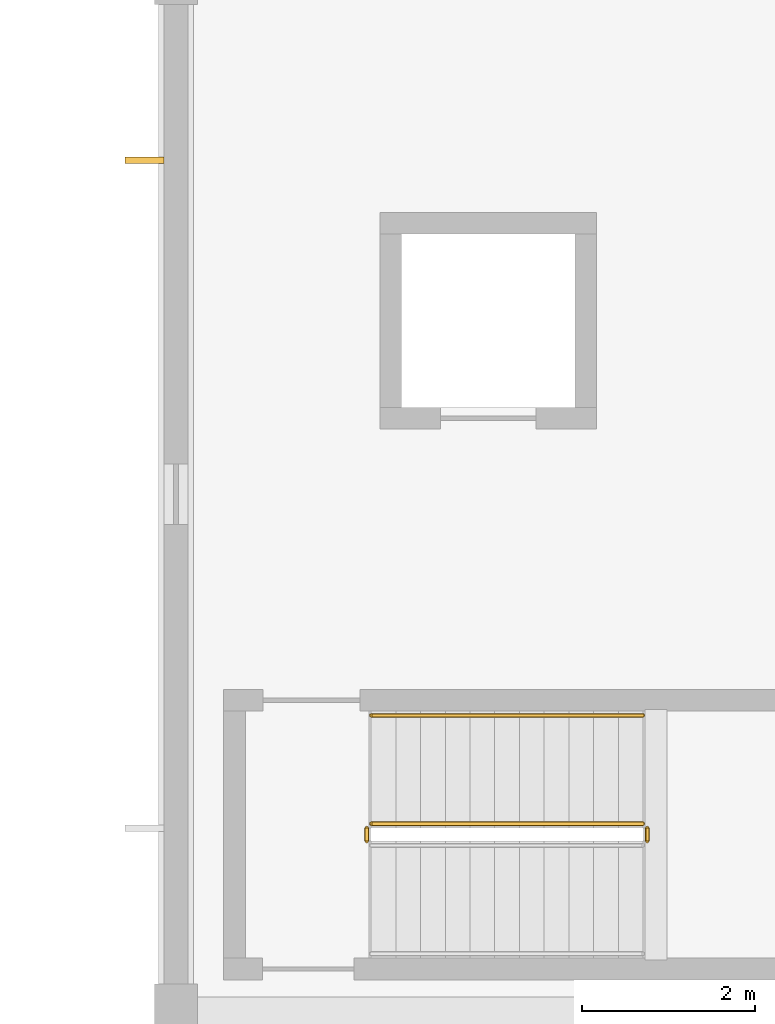
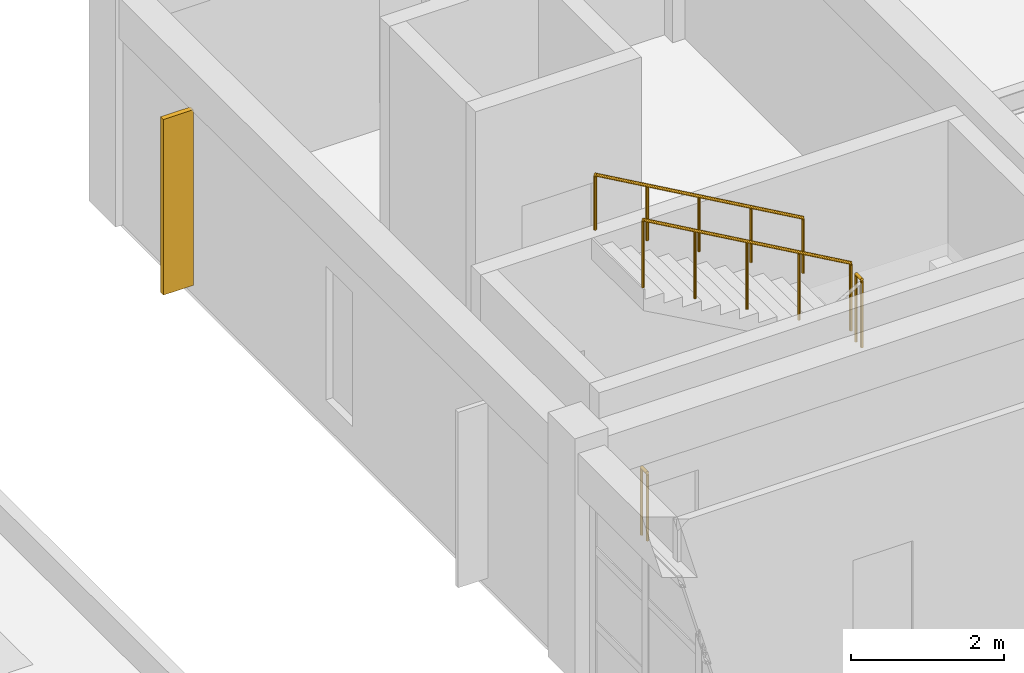
# One storey, part 109 of 150: 4 railings, 1 shading device.
"""IFC4 building model written with IfcOpenShell, lengths in metres."""

from ifc_helpers import new_model, si_unit, direction, frame, origin, origin_2d, place, context, subcontext, project, spatial, rectangle, circle, extrude, material, layer, layer_set, type_object, element, save


model = new_model("IFC4")

# Units and contexts
model_context = context("Model", 3, precision=1e-05, world=origin(), true_north=direction((0.0, 1.0)))
body_context = subcontext(model_context, "Body", "Model", "MODEL_VIEW")
ifc_project = project(units=[si_unit("LENGTHUNIT", "METRE"), si_unit("AREAUNIT", "SQUARE_METRE"), si_unit("VOLUMEUNIT", "CUBIC_METRE"), si_unit("PLANEANGLEUNIT", "RADIAN"), si_unit("MASSUNIT", "GRAM", prefix="KILO")], contexts=[model_context])

# Site, building, storey
site_placement = place(None, origin())
site = spatial("IfcSite", under=ifc_project, at=site_placement, CompositionType="ELEMENT")
building_placement = place(site_placement, origin())
building = spatial("IfcBuilding", under=site, at=building_placement, Name="Kestramere Prow Commons", CompositionType="ELEMENT")
storey_placement = place(building_placement, frame((0.0, 0.0, 4.5)))
storey = spatial("IfcBuildingStorey", under=building, at=storey_placement, Name="L01", CompositionType="ELEMENT", Elevation=4.5)

# Railings
ifc_material_1 = material(Name="Galvanised Steel S275JR", Category="steel")
railing_type_1 = type_object("IfcRailingType", Name="RL-ST-GR-1100", PredefinedType="GUARDRAIL", material=ifc_material_1)
railing_1_placement = place(storey_placement, frame((65.43505859375, 14.0, 1.949951171875)))
element("IfcRailing", 1, at=railing_1_placement, inside=storey, type_object=railing_type_1, Name="L01 ST-M1 stair guard 2", PredefinedType="GUARDRAIL", context=body_context, shape_type="SweptSolid", body=[
    extrude(circle(Radius=0.02392578125, at=origin_2d()), frame((0.0, 0.0, 1.076171875), z_axis=(0.0, 1.0, 0.0), x_axis=(-1.0, 0.0, 0.0)), (0.0, 0.0, 1.0), 0.14990234375),
    extrude(circle(Radius=0.02099609375, at=origin_2d()), origin(), (0.0, 0.0, 1.0), 1.052001953125),
    extrude(circle(Radius=0.02099609375, at=origin_2d()), frame((0.0, 0.14990234375, 0.0)), (0.0, 0.0, 1.0), 1.052001953125),
])
railing_2_placement = place(storey_placement, frame((65.385009765625, 14.199951171875, 2.112548828125)))
element("IfcRailing", 2, at=railing_2_placement, inside=storey, type_object=railing_type_1, Name="L01 ST-M1 stair guard 3", PredefinedType="GUARDRAIL", context=body_context, shape_type="SweptSolid", body=[
    extrude(circle(Radius=0.02392578125, at=origin_2d()), frame((0.0, 0.0, 1.076171875), z_axis=(-0.868729823959, 0.0, 0.495286273749), x_axis=(0.0, -1.0, 0.0)), (0.0, 0.0, 1.0), 3.608642578125),
    extrude(circle(Radius=0.02099609375, at=origin_2d()), origin(), (0.0, 0.0, 1.0), 1.052001953125),
    extrude(circle(Radius=0.02099609375, at=origin_2d()), frame((-0.78369140625, 0.0, 0.44677734375)), (0.0, 0.0, 1.0), 1.052001953125),
    extrude(circle(Radius=0.02099609375, at=origin_2d()), frame((-1.5673828125, 0.0, 0.8935546875)), (0.0, 0.0, 1.0), 1.052001953125),
    extrude(circle(Radius=0.02099609375, at=origin_2d()), frame((-2.351318359375, 0.0, 1.340576171875)), (0.0, 0.0, 1.0), 1.052001953125),
    extrude(circle(Radius=0.02099609375, at=origin_2d()), frame((-3.135009765625, 0.0, 1.787353515625)), (0.0, 0.0, 1.0), 1.052001953125),
])
railing_3_placement = place(storey_placement, frame((62.199951171875, 14.0, 0.0)))
element("IfcRailing", 3, at=railing_3_placement, inside=storey, type_object=railing_type_1, Name="L01 ST-M1 stair guard 4", PredefinedType="GUARDRAIL", context=body_context, shape_type="SweptSolid", body=[
    extrude(circle(Radius=0.02392578125, at=origin_2d()), frame((0.0, 0.0, 1.076171875), z_axis=(0.0, 1.0, 0.0), x_axis=(-1.0, 0.0, 0.0)), (0.0, 0.0, 1.0), 0.14990234375),
    extrude(circle(Radius=0.02099609375, at=origin_2d()), origin(), (0.0, 0.0, 1.0), 1.052001953125),
    extrude(circle(Radius=0.02099609375, at=origin_2d()), frame((0.0, 0.14990234375, 0.0)), (0.0, 0.0, 1.0), 1.052001953125),
])
ifc_material_2 = material(Name="Stainless Steel 304", Category="steel")
railing_type_2 = type_object("IfcRailingType", Name="RL-ST-HR-900", PredefinedType="HANDRAIL", material=ifc_material_2)
railing_4_placement = place(storey_placement, frame((65.385009765625, 15.449951171875, 2.27490234375)))
element("IfcRailing", 4, at=railing_4_placement, inside=storey, type_object=railing_type_2, Name="L01 ST-M1 stair handrail 2", PredefinedType="HANDRAIL", context=body_context, shape_type="SweptSolid", body=[
    extrude(circle(Radius=0.02392578125, at=origin_2d()), frame((0.0, 0.0, 0.8759765625), z_axis=(-0.86870071446, 0.0, 0.495337328189), x_axis=(0.0, -1.0, 0.0)), (0.0, 0.0, 1.0), 3.60888671875),
    extrude(circle(Radius=0.02099609375, at=origin_2d()), origin(), (0.0, 0.0, 1.0), 0.851806640625),
    extrude(circle(Radius=0.02099609375, at=origin_2d()), frame((-0.78369140625, 0.0, 0.44677734375)), (0.0, 0.0, 1.0), 0.851806640625),
    extrude(circle(Radius=0.02099609375, at=origin_2d()), frame((-1.5673828125, 0.0, 0.893798828125)), (0.0, 0.0, 1.0), 0.851806640625),
    extrude(circle(Radius=0.02099609375, at=origin_2d()), frame((-2.351318359375, 0.0, 1.3408203125)), (0.0, 0.0, 1.0), 0.851806640625),
    extrude(circle(Radius=0.02099609375, at=origin_2d()), frame((-3.135009765625, 0.0, 1.78759765625)), (0.0, 0.0, 1.0), 0.851806640625),
])

# Shading device
ifc_material_3 = material(Name="Weathered Bronze-Anodised Aluminium", Category="aluminium")
ifc_layer = layer(ifc_material_3, 0.074951171875)
ifc_layer_set = layer_set([ifc_layer], Name="Weathered Bronze-Anodised Aluminium")
shading_device_type = type_object("IfcShadingDeviceType", Name="SHD-VFIN-450", PredefinedType="USERDEFINED", material=ifc_layer_set)
shading_device_placement = place(storey_placement, frame((59.635009765625, 21.85009765625, 0.14990234375), z_axis=(0.0, 0.0, 1.0), x_axis=(1.0, 0.0, 0.0)))
element("IfcShadingDevice", 5, at=shading_device_placement, inside=storey, type_object=shading_device_type, Name="Market L01 W Vertical Fin 2-2", ObjectType="VERTICAL FIN", PredefinedType="USERDEFINED", context=body_context, shape_type="SweptSolid", body=[
    extrude(rectangle(XDim=0.449951171875, YDim=0.074951171875, at=origin_2d()), origin(), (0.0, 0.0, 1.0), 2.800048828125),
])

save(model, "model.ifc")
